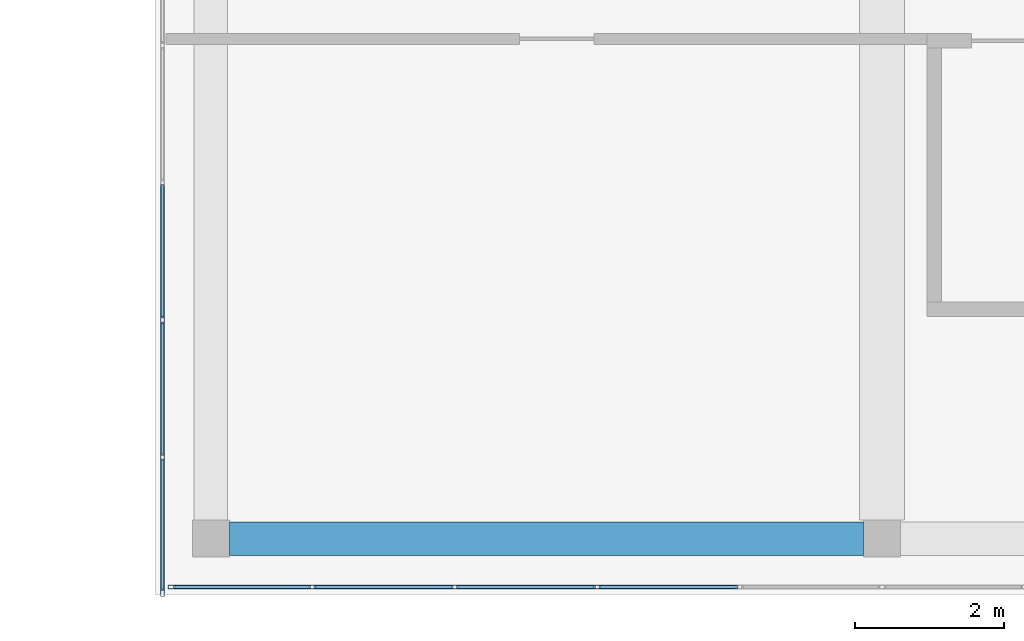
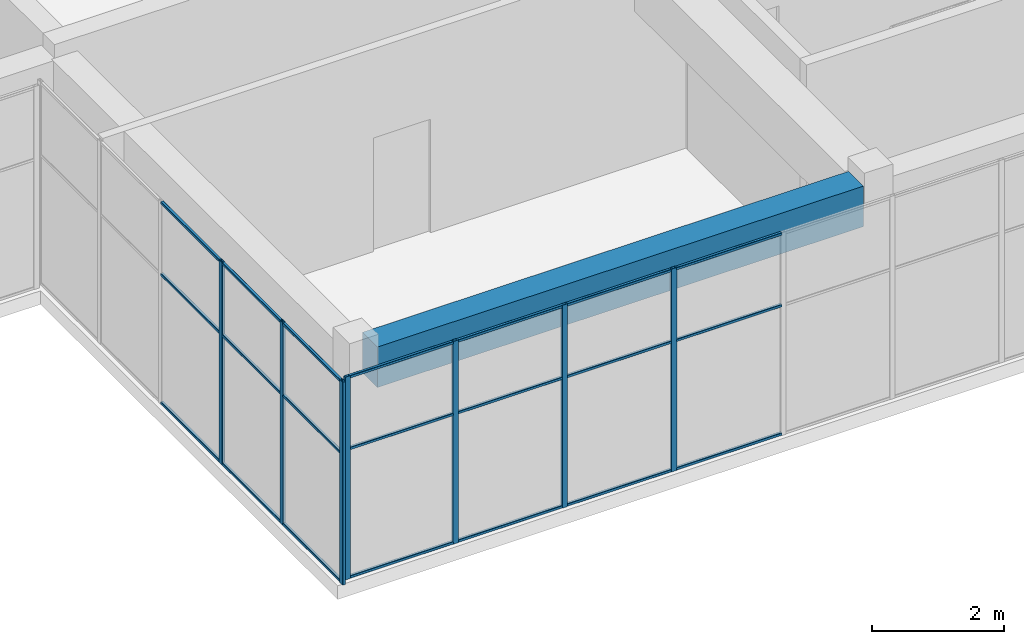
# One storey, part 2 of 34: 28 members, 1 beam, 2 elements without a shape of their own.
"""IFC4 building model written with IfcOpenShell, lengths in metres."""

from ifc_helpers import new_model, si_unit, direction, frame, origin, origin_2d, place, context, subcontext, project, spatial, rectangle, hollow_rectangle, extrude, material, layer, layer_set, material_profile, profile_set, type_object, element, aggregate, save


model = new_model("IFC4")

# Units and contexts
model_context = context("Model", 3, precision=1e-05, world=origin(), true_north=direction((0.0, 1.0)))
body_context = subcontext(model_context, "Body", "Model", "MODEL_VIEW")
ifc_project = project(units=[si_unit("LENGTHUNIT", "METRE"), si_unit("AREAUNIT", "SQUARE_METRE"), si_unit("VOLUMEUNIT", "CUBIC_METRE"), si_unit("PLANEANGLEUNIT", "RADIAN"), si_unit("MASSUNIT", "GRAM", prefix="KILO")], contexts=[model_context])

# Site, building, storey
site_placement = place(None, origin())
site = spatial("IfcSite", under=ifc_project, at=site_placement, CompositionType="ELEMENT")
building_placement = place(site_placement, origin())
building = spatial("IfcBuilding", under=site, at=building_placement, Name="Tuart Plaza Theatre", CompositionType="ELEMENT")
storey_placement = place(building_placement, frame((0.0, 0.0, 57.5)))
storey = spatial("IfcBuildingStorey", under=building, at=storey_placement, Name="L14", CompositionType="ELEMENT", Elevation=57.5)

# Beam
ifc_material_1 = material(Name="Concrete N40 (40 MPa)", Category="concrete")
ifc_material_profile_1 = material_profile(ifc_material_1, rectangle(XDim=0.449951171875, YDim=0.75, at=origin_2d()), Name="BEAM 450x750 Concrete N40 (40 MPa)")
ifc_profile_set_1 = profile_set([ifc_material_profile_1], Name="Concrete N40 (40 MPa)")
beam_type = type_object("IfcBeamType", Name="BEAM 450x750 Concrete N40 (40 MPa)", PredefinedType="BEAM", material=ifc_profile_set_1)
beam_placement = place(storey_placement, frame((123.25, 56.0, 3.375), z_axis=(1.0, 0.0, 0.0), x_axis=(0.0, 1.0, 0.0)))
element("IfcBeam", 1, at=beam_placement, inside=storey, type_object=beam_type, Name="RB328", PredefinedType="BEAM", context=body_context, shape_type="SweptSolid", body=[
    extrude(rectangle(XDim=0.449951171875, YDim=0.75, at=origin_2d()), origin(), (0.0, 0.0, 1.0), 8.5),
])

# Curtain wall, members
ifc_material_2 = material(Name="Aluminium and glass", Category="aluminium")
ifc_layer = layer(ifc_material_2, 0.10009765625)
ifc_layer_set = layer_set([ifc_layer], Name="CURTAIN WALL 2000 module")
curtain_wall_type = type_object("IfcCurtainWallType", Name="CURTAIN WALL 2000 module", PredefinedType="NOTDEFINED", material=ifc_layer_set)
curtain_wall_1_placement = place(storey_placement, origin())
curtain_wall_1 = element("IfcCurtainWall", 2, at=curtain_wall_1_placement, inside=storey, type_object=curtain_wall_type, Name="CW121", PredefinedType="NOTDEFINED")
ifc_material_3 = material(Name="Aluminium 6063-T5", Category="aluminium")
ifc_material_profile_2 = material_profile(ifc_material_3, hollow_rectangle(XDim=0.050048828125, YDim=0.10009765625, WallThickness=0.00390625, InnerFilletRadius=0.00390625, OuterFilletRadius=0.008056640625, at=origin_2d()), Name="RHS 100x50x4")
ifc_profile_set_2 = profile_set([ifc_material_profile_2], Name="Aluminium 6063-T5")
member_type_1 = type_object("IfcMemberType", Name="MULLION RHS 100x50x4", PredefinedType="MULLION", material=ifc_profile_set_2)
member_1_placement = place(storey_placement, frame((122.35009765625, 58.929931640625, 0.0), z_axis=(0.0, 0.0, 1.0), x_axis=(1.0, 0.0, 0.0)))
member_1 = element("IfcMember", 3, at=member_1_placement, type_object=member_type_1, Name="CW121 mullion 4", PredefinedType="MULLION", context=body_context, shape_type="SweptSolid", body=[
    extrude(hollow_rectangle(XDim=0.050048828125, YDim=0.10009765625, WallThickness=0.00390625, InnerFilletRadius=0.00390625, OuterFilletRadius=0.008056640625, at=origin_2d()), origin(), (0.0, 0.0, 1.0), 3.75),
])
member_2_placement = place(storey_placement, frame((122.35009765625, 57.090087890625, 0.0), z_axis=(0.0, 0.0, 1.0), x_axis=(1.0, 0.0, 0.0)))
member_2 = element("IfcMember", 4, at=member_2_placement, type_object=member_type_1, Name="CW121 mullion 5", PredefinedType="MULLION", context=body_context, shape_type="SweptSolid", body=[
    extrude(hollow_rectangle(XDim=0.050048828125, YDim=0.10009765625, WallThickness=0.00390625, InnerFilletRadius=0.00390625, OuterFilletRadius=0.008056640625, at=origin_2d()), origin(), (0.0, 0.0, 1.0), 3.75),
])
member_3_placement = place(storey_placement, frame((122.35009765625, 55.27490234375, 0.0), z_axis=(0.0, 0.0, 1.0), x_axis=(1.0, 0.0, 0.0)))
member_3 = element("IfcMember", 5, at=member_3_placement, type_object=member_type_1, Name="CW121 mullion 6", PredefinedType="MULLION", context=body_context, shape_type="SweptSolid", body=[
    extrude(hollow_rectangle(XDim=0.050048828125, YDim=0.10009765625, WallThickness=0.00390625, InnerFilletRadius=0.00390625, OuterFilletRadius=0.008056640625, at=origin_2d()), origin(), (0.0, 0.0, 1.0), 3.75),
])

curtain_wall_2_placement = place(storey_placement, origin())
curtain_wall_2 = element("IfcCurtainWall", 6, at=curtain_wall_2_placement, inside=storey, type_object=curtain_wall_type, Name="CW122", PredefinedType="NOTDEFINED")
member_4_placement = place(storey_placement, frame((122.47509765625, 55.35009765625, 0.0), z_axis=(0.0, 0.0, 1.0), x_axis=(0.0, 1.0, 0.0)))
member_4 = element("IfcMember", 7, at=member_4_placement, type_object=member_type_1, Name="CW122 mullion 1", PredefinedType="MULLION", context=body_context, shape_type="SweptSolid", body=[
    extrude(hollow_rectangle(XDim=0.050048828125, YDim=0.10009765625, WallThickness=0.00390625, InnerFilletRadius=0.00390625, OuterFilletRadius=0.008056640625, at=origin_2d()), origin(), (0.0, 0.0, 1.0), 3.75),
])
member_5_placement = place(storey_placement, frame((124.360107421875, 55.35009765625, 0.0), z_axis=(0.0, 0.0, 1.0), x_axis=(0.0, 1.0, 0.0)))
member_5 = element("IfcMember", 8, at=member_5_placement, type_object=member_type_1, Name="CW122 mullion 2", PredefinedType="MULLION", context=body_context, shape_type="SweptSolid", body=[
    extrude(hollow_rectangle(XDim=0.050048828125, YDim=0.10009765625, WallThickness=0.00390625, InnerFilletRadius=0.00390625, OuterFilletRadius=0.008056640625, at=origin_2d()), origin(), (0.0, 0.0, 1.0), 3.75),
])
member_6_placement = place(storey_placement, frame((126.27001953125, 55.35009765625, 0.0), z_axis=(0.0, 0.0, 1.0), x_axis=(0.0, 1.0, 0.0)))
member_6 = element("IfcMember", 9, at=member_6_placement, type_object=member_type_1, Name="CW122 mullion 3", PredefinedType="MULLION", context=body_context, shape_type="SweptSolid", body=[
    extrude(hollow_rectangle(XDim=0.050048828125, YDim=0.10009765625, WallThickness=0.00390625, InnerFilletRadius=0.00390625, OuterFilletRadius=0.008056640625, at=origin_2d()), origin(), (0.0, 0.0, 1.0), 3.75),
])
member_7_placement = place(storey_placement, frame((128.179931640625, 55.35009765625, 0.0), z_axis=(0.0, 0.0, 1.0), x_axis=(0.0, 1.0, 0.0)))
member_7 = element("IfcMember", 10, at=member_7_placement, type_object=member_type_1, Name="CW122 mullion 4", PredefinedType="MULLION", context=body_context, shape_type="SweptSolid", body=[
    extrude(hollow_rectangle(XDim=0.050048828125, YDim=0.10009765625, WallThickness=0.00390625, InnerFilletRadius=0.00390625, OuterFilletRadius=0.008056640625, at=origin_2d()), origin(), (0.0, 0.0, 1.0), 3.75),
])

# Member
ifc_material_4 = material(Name="Aluminium 6063-T5", Category="aluminium")
ifc_material_profile_3 = material_profile(ifc_material_4, hollow_rectangle(XDim=0.050048828125, YDim=0.050048828125, WallThickness=0.00390625, InnerFilletRadius=0.00390625, OuterFilletRadius=0.008056640625, at=origin_2d()), Name="RHS 50x50x4")
ifc_profile_set_3 = profile_set([ifc_material_profile_3], Name="Aluminium 6063-T5")
member_type_2 = type_object("IfcMemberType", Name="TRANSOM RHS 50x50x4", PredefinedType="USERDEFINED", material=ifc_profile_set_3)
member_8_placement = place(storey_placement, frame((122.35009765625, 60.7451171875, 0.02490234375), z_axis=(0.0, -1.0, 0.0), x_axis=(1.0, 0.0, 0.0)))
member_8 = element("IfcMember", 11, at=member_8_placement, type_object=member_type_2, Name="CW121 transom 3.1", ObjectType="TRANSOM", PredefinedType="USERDEFINED", context=body_context, shape_type="SweptSolid", body=[
    extrude(hollow_rectangle(XDim=0.050048828125, YDim=0.050048828125, WallThickness=0.00390625, InnerFilletRadius=0.00390625, OuterFilletRadius=0.008056640625, at=origin_2d()), origin(), (0.0, 0.0, 1.0), 1.7900390625),
])

member_9_placement = place(storey_placement, frame((122.35009765625, 60.7451171875, 2.39990234375), z_axis=(0.0, -1.0, 0.0), x_axis=(1.0, 0.0, 0.0)))
member_9 = element("IfcMember", 12, at=member_9_placement, type_object=member_type_2, Name="CW121 transom 3.2", ObjectType="TRANSOM", PredefinedType="USERDEFINED", context=body_context, shape_type="SweptSolid", body=[
    extrude(hollow_rectangle(XDim=0.050048828125, YDim=0.050048828125, WallThickness=0.00390625, InnerFilletRadius=0.00390625, OuterFilletRadius=0.008056640625, at=origin_2d()), origin(), (0.0, 0.0, 1.0), 1.7900390625),
])

member_10_placement = place(storey_placement, frame((122.35009765625, 60.7451171875, 3.72509765625), z_axis=(0.0, -1.0, 0.0), x_axis=(1.0, 0.0, 0.0)))
member_10 = element("IfcMember", 13, at=member_10_placement, type_object=member_type_2, Name="CW121 transom 3.3", ObjectType="TRANSOM", PredefinedType="USERDEFINED", context=body_context, shape_type="SweptSolid", body=[
    extrude(hollow_rectangle(XDim=0.050048828125, YDim=0.050048828125, WallThickness=0.00390625, InnerFilletRadius=0.00390625, OuterFilletRadius=0.008056640625, at=origin_2d()), origin(), (0.0, 0.0, 1.0), 1.7900390625),
])

member_11_placement = place(storey_placement, frame((122.35009765625, 58.905029296875, 0.02490234375), z_axis=(0.0, -1.0, 0.0), x_axis=(1.0, 0.0, 0.0)))
member_11 = element("IfcMember", 14, at=member_11_placement, type_object=member_type_2, Name="CW121 transom 4.1", ObjectType="TRANSOM", PredefinedType="USERDEFINED", context=body_context, shape_type="SweptSolid", body=[
    extrude(hollow_rectangle(XDim=0.050048828125, YDim=0.050048828125, WallThickness=0.00390625, InnerFilletRadius=0.00390625, OuterFilletRadius=0.008056640625, at=origin_2d()), origin(), (0.0, 0.0, 1.0), 1.7900390625),
])

member_12_placement = place(storey_placement, frame((122.35009765625, 58.905029296875, 2.39990234375), z_axis=(0.0, -1.0, 0.0), x_axis=(1.0, 0.0, 0.0)))
member_12 = element("IfcMember", 15, at=member_12_placement, type_object=member_type_2, Name="CW121 transom 4.2", ObjectType="TRANSOM", PredefinedType="USERDEFINED", context=body_context, shape_type="SweptSolid", body=[
    extrude(hollow_rectangle(XDim=0.050048828125, YDim=0.050048828125, WallThickness=0.00390625, InnerFilletRadius=0.00390625, OuterFilletRadius=0.008056640625, at=origin_2d()), origin(), (0.0, 0.0, 1.0), 1.7900390625),
])

member_13_placement = place(storey_placement, frame((122.35009765625, 58.905029296875, 3.72509765625), z_axis=(0.0, -1.0, 0.0), x_axis=(1.0, 0.0, 0.0)))
member_13 = element("IfcMember", 16, at=member_13_placement, type_object=member_type_2, Name="CW121 transom 4.3", ObjectType="TRANSOM", PredefinedType="USERDEFINED", context=body_context, shape_type="SweptSolid", body=[
    extrude(hollow_rectangle(XDim=0.050048828125, YDim=0.050048828125, WallThickness=0.00390625, InnerFilletRadius=0.00390625, OuterFilletRadius=0.008056640625, at=origin_2d()), origin(), (0.0, 0.0, 1.0), 1.7900390625),
])

member_14_placement = place(storey_placement, frame((122.35009765625, 57.06494140625, 0.02490234375), z_axis=(0.0, -1.0, 0.0), x_axis=(1.0, 0.0, 0.0)))
member_14 = element("IfcMember", 17, at=member_14_placement, type_object=member_type_2, Name="CW121 transom 5.1", ObjectType="TRANSOM", PredefinedType="USERDEFINED", context=body_context, shape_type="SweptSolid", body=[
    extrude(hollow_rectangle(XDim=0.050048828125, YDim=0.050048828125, WallThickness=0.00390625, InnerFilletRadius=0.00390625, OuterFilletRadius=0.008056640625, at=origin_2d()), origin(), (0.0, 0.0, 1.0), 1.764892578125),
])

member_15_placement = place(storey_placement, frame((122.35009765625, 57.06494140625, 2.39990234375), z_axis=(0.0, -1.0, 0.0), x_axis=(1.0, 0.0, 0.0)))
member_15 = element("IfcMember", 18, at=member_15_placement, type_object=member_type_2, Name="CW121 transom 5.2", ObjectType="TRANSOM", PredefinedType="USERDEFINED", context=body_context, shape_type="SweptSolid", body=[
    extrude(hollow_rectangle(XDim=0.050048828125, YDim=0.050048828125, WallThickness=0.00390625, InnerFilletRadius=0.00390625, OuterFilletRadius=0.008056640625, at=origin_2d()), origin(), (0.0, 0.0, 1.0), 1.764892578125),
])

member_16_placement = place(storey_placement, frame((122.35009765625, 57.06494140625, 3.72509765625), z_axis=(0.0, -1.0, 0.0), x_axis=(1.0, 0.0, 0.0)))
member_16 = element("IfcMember", 19, at=member_16_placement, type_object=member_type_2, Name="CW121 transom 5.3", ObjectType="TRANSOM", PredefinedType="USERDEFINED", context=body_context, shape_type="SweptSolid", body=[
    extrude(hollow_rectangle(XDim=0.050048828125, YDim=0.050048828125, WallThickness=0.00390625, InnerFilletRadius=0.00390625, OuterFilletRadius=0.008056640625, at=origin_2d()), origin(), (0.0, 0.0, 1.0), 1.764892578125),
])

aggregate(curtain_wall_1, [member_1, member_2, member_3, member_8, member_9, member_10, member_11, member_12, member_13, member_14, member_15, member_16])

member_17_placement = place(storey_placement, frame((122.5, 55.35009765625, 0.02490234375), z_axis=(1.0, 0.0, 0.0), x_axis=(0.0, 1.0, 0.0)))
member_17 = element("IfcMember", 20, at=member_17_placement, type_object=member_type_2, Name="CW122 transom 1.1", ObjectType="TRANSOM", PredefinedType="USERDEFINED", context=body_context, shape_type="SweptSolid", body=[
    extrude(hollow_rectangle(XDim=0.050048828125, YDim=0.050048828125, WallThickness=0.00390625, InnerFilletRadius=0.00390625, OuterFilletRadius=0.008056640625, at=origin_2d()), origin(), (0.0, 0.0, 1.0), 1.8349609375),
])

member_18_placement = place(storey_placement, frame((122.5, 55.35009765625, 2.39990234375), z_axis=(1.0, 0.0, 0.0), x_axis=(0.0, 1.0, 0.0)))
member_18 = element("IfcMember", 21, at=member_18_placement, type_object=member_type_2, Name="CW122 transom 1.2", ObjectType="TRANSOM", PredefinedType="USERDEFINED", context=body_context, shape_type="SweptSolid", body=[
    extrude(hollow_rectangle(XDim=0.050048828125, YDim=0.050048828125, WallThickness=0.00390625, InnerFilletRadius=0.00390625, OuterFilletRadius=0.008056640625, at=origin_2d()), origin(), (0.0, 0.0, 1.0), 1.8349609375),
])

member_19_placement = place(storey_placement, frame((122.5, 55.35009765625, 3.72509765625), z_axis=(1.0, 0.0, 0.0), x_axis=(0.0, 1.0, 0.0)))
member_19 = element("IfcMember", 22, at=member_19_placement, type_object=member_type_2, Name="CW122 transom 1.3", ObjectType="TRANSOM", PredefinedType="USERDEFINED", context=body_context, shape_type="SweptSolid", body=[
    extrude(hollow_rectangle(XDim=0.050048828125, YDim=0.050048828125, WallThickness=0.00390625, InnerFilletRadius=0.00390625, OuterFilletRadius=0.008056640625, at=origin_2d()), origin(), (0.0, 0.0, 1.0), 1.8349609375),
])

member_20_placement = place(storey_placement, frame((124.385009765625, 55.35009765625, 0.02490234375), z_axis=(1.0, 0.0, 0.0), x_axis=(0.0, 1.0, 0.0)))
member_20 = element("IfcMember", 23, at=member_20_placement, type_object=member_type_2, Name="CW122 transom 2.1", ObjectType="TRANSOM", PredefinedType="USERDEFINED", context=body_context, shape_type="SweptSolid", body=[
    extrude(hollow_rectangle(XDim=0.050048828125, YDim=0.050048828125, WallThickness=0.00390625, InnerFilletRadius=0.00390625, OuterFilletRadius=0.008056640625, at=origin_2d()), origin(), (0.0, 0.0, 1.0), 1.860107421875),
])

member_21_placement = place(storey_placement, frame((124.385009765625, 55.35009765625, 2.39990234375), z_axis=(1.0, 0.0, 0.0), x_axis=(0.0, 1.0, 0.0)))
member_21 = element("IfcMember", 24, at=member_21_placement, type_object=member_type_2, Name="CW122 transom 2.2", ObjectType="TRANSOM", PredefinedType="USERDEFINED", context=body_context, shape_type="SweptSolid", body=[
    extrude(hollow_rectangle(XDim=0.050048828125, YDim=0.050048828125, WallThickness=0.00390625, InnerFilletRadius=0.00390625, OuterFilletRadius=0.008056640625, at=origin_2d()), origin(), (0.0, 0.0, 1.0), 1.860107421875),
])

member_22_placement = place(storey_placement, frame((124.385009765625, 55.35009765625, 3.72509765625), z_axis=(1.0, 0.0, 0.0), x_axis=(0.0, 1.0, 0.0)))
member_22 = element("IfcMember", 25, at=member_22_placement, type_object=member_type_2, Name="CW122 transom 2.3", ObjectType="TRANSOM", PredefinedType="USERDEFINED", context=body_context, shape_type="SweptSolid", body=[
    extrude(hollow_rectangle(XDim=0.050048828125, YDim=0.050048828125, WallThickness=0.00390625, InnerFilletRadius=0.00390625, OuterFilletRadius=0.008056640625, at=origin_2d()), origin(), (0.0, 0.0, 1.0), 1.860107421875),
])

member_23_placement = place(storey_placement, frame((126.294921875, 55.35009765625, 0.02490234375), z_axis=(1.0, 0.0, 0.0), x_axis=(0.0, 1.0, 0.0)))
member_23 = element("IfcMember", 26, at=member_23_placement, type_object=member_type_2, Name="CW122 transom 3.1", ObjectType="TRANSOM", PredefinedType="USERDEFINED", context=body_context, shape_type="SweptSolid", body=[
    extrude(hollow_rectangle(XDim=0.050048828125, YDim=0.050048828125, WallThickness=0.00390625, InnerFilletRadius=0.00390625, OuterFilletRadius=0.008056640625, at=origin_2d()), origin(), (0.0, 0.0, 1.0), 1.860107421875),
])

member_24_placement = place(storey_placement, frame((126.294921875, 55.35009765625, 2.39990234375), z_axis=(1.0, 0.0, 0.0), x_axis=(0.0, 1.0, 0.0)))
member_24 = element("IfcMember", 27, at=member_24_placement, type_object=member_type_2, Name="CW122 transom 3.2", ObjectType="TRANSOM", PredefinedType="USERDEFINED", context=body_context, shape_type="SweptSolid", body=[
    extrude(hollow_rectangle(XDim=0.050048828125, YDim=0.050048828125, WallThickness=0.00390625, InnerFilletRadius=0.00390625, OuterFilletRadius=0.008056640625, at=origin_2d()), origin(), (0.0, 0.0, 1.0), 1.860107421875),
])

member_25_placement = place(storey_placement, frame((126.294921875, 55.35009765625, 3.72509765625), z_axis=(1.0, 0.0, 0.0), x_axis=(0.0, 1.0, 0.0)))
member_25 = element("IfcMember", 28, at=member_25_placement, type_object=member_type_2, Name="CW122 transom 3.3", ObjectType="TRANSOM", PredefinedType="USERDEFINED", context=body_context, shape_type="SweptSolid", body=[
    extrude(hollow_rectangle(XDim=0.050048828125, YDim=0.050048828125, WallThickness=0.00390625, InnerFilletRadius=0.00390625, OuterFilletRadius=0.008056640625, at=origin_2d()), origin(), (0.0, 0.0, 1.0), 1.860107421875),
])

member_26_placement = place(storey_placement, frame((128.205078125, 55.35009765625, 0.02490234375), z_axis=(1.0, 0.0, 0.0), x_axis=(0.0, 1.0, 0.0)))
member_26 = element("IfcMember", 29, at=member_26_placement, type_object=member_type_2, Name="CW122 transom 4.1", ObjectType="TRANSOM", PredefinedType="USERDEFINED", context=body_context, shape_type="SweptSolid", body=[
    extrude(hollow_rectangle(XDim=0.050048828125, YDim=0.050048828125, WallThickness=0.00390625, InnerFilletRadius=0.00390625, OuterFilletRadius=0.008056640625, at=origin_2d()), origin(), (0.0, 0.0, 1.0), 1.85986328125),
])

member_27_placement = place(storey_placement, frame((128.205078125, 55.35009765625, 2.39990234375), z_axis=(1.0, 0.0, 0.0), x_axis=(0.0, 1.0, 0.0)))
member_27 = element("IfcMember", 30, at=member_27_placement, type_object=member_type_2, Name="CW122 transom 4.2", ObjectType="TRANSOM", PredefinedType="USERDEFINED", context=body_context, shape_type="SweptSolid", body=[
    extrude(hollow_rectangle(XDim=0.050048828125, YDim=0.050048828125, WallThickness=0.00390625, InnerFilletRadius=0.00390625, OuterFilletRadius=0.008056640625, at=origin_2d()), origin(), (0.0, 0.0, 1.0), 1.85986328125),
])

member_28_placement = place(storey_placement, frame((128.205078125, 55.35009765625, 3.72509765625), z_axis=(1.0, 0.0, 0.0), x_axis=(0.0, 1.0, 0.0)))
member_28 = element("IfcMember", 31, at=member_28_placement, type_object=member_type_2, Name="CW122 transom 4.3", ObjectType="TRANSOM", PredefinedType="USERDEFINED", context=body_context, shape_type="SweptSolid", body=[
    extrude(hollow_rectangle(XDim=0.050048828125, YDim=0.050048828125, WallThickness=0.00390625, InnerFilletRadius=0.00390625, OuterFilletRadius=0.008056640625, at=origin_2d()), origin(), (0.0, 0.0, 1.0), 1.85986328125),
])

aggregate(curtain_wall_2, [member_4, member_5, member_6, member_7, member_17, member_18, member_19, member_20, member_21, member_22, member_23, member_24, member_25, member_26, member_27, member_28])

save(model, "model.ifc")
